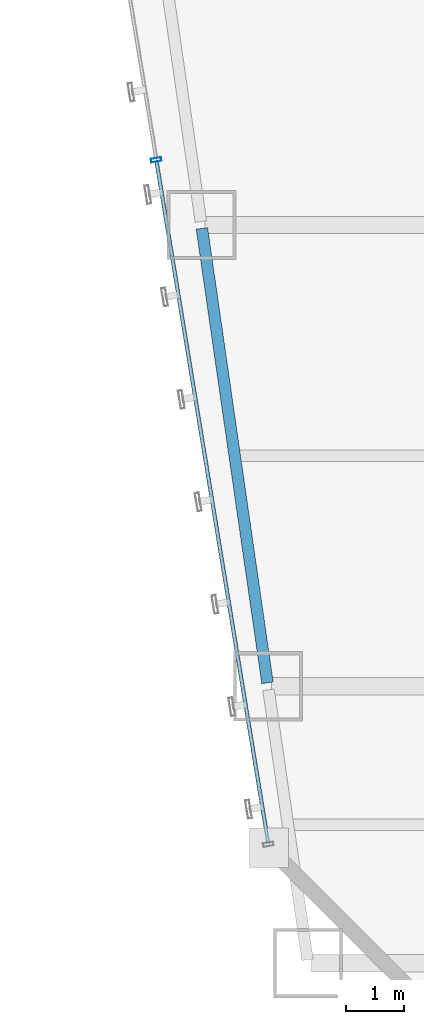
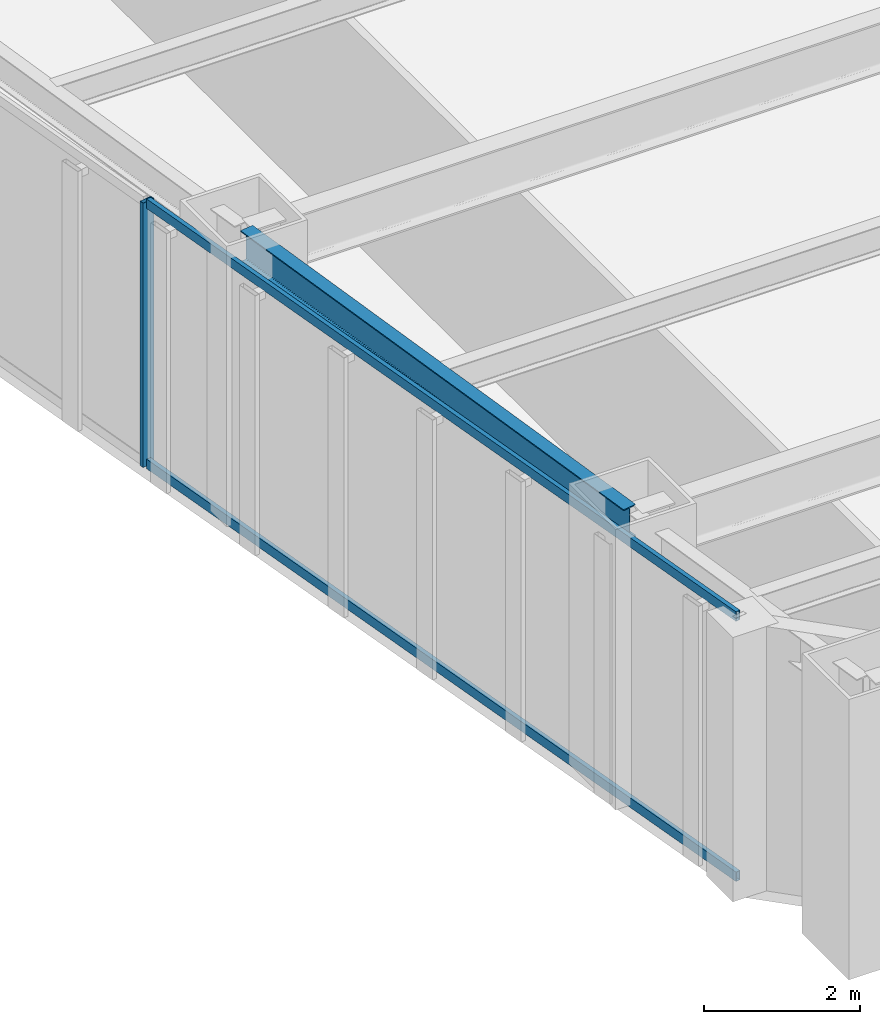
# One storey, part 5 of 47: 3 members, 1 beam, 1 element without a shape of its own.
"""IFC4 building model written with IfcOpenShell, lengths in metres."""

from ifc_helpers import new_model, si_unit, direction, frame, origin, origin_2d, place, context, subcontext, project, spatial, hollow_rectangle, i_section, extrude, material, material_profile, profile_set, type_object, element, aggregate, save


model = new_model("IFC4")

# Units and contexts
model_context = context("Model", 3, precision=1e-05, world=origin(), true_north=direction((0.0, 1.0)))
body_context = subcontext(model_context, "Body", "Model", "MODEL_VIEW")
ifc_project = project(units=[si_unit("LENGTHUNIT", "METRE"), si_unit("AREAUNIT", "SQUARE_METRE"), si_unit("VOLUMEUNIT", "CUBIC_METRE"), si_unit("PLANEANGLEUNIT", "RADIAN"), si_unit("MASSUNIT", "GRAM", prefix="KILO")], contexts=[model_context])

# Site, building, storey
site_placement = place(None, origin())
site = spatial("IfcSite", under=ifc_project, at=site_placement, CompositionType="ELEMENT")
building_placement = place(site_placement, origin())
building = spatial("IfcBuilding", under=site, at=building_placement, Name="Saevonmaru Cultural Tower", CompositionType="ELEMENT")
storey_placement = place(building_placement, frame((0.0, 0.0, 56.0)))
storey = spatial("IfcBuildingStorey", under=building, at=storey_placement, Name="L11", CompositionType="ELEMENT", Elevation=56.0)

# Beam
ifc_material_1 = material(Name="Steel SM355", Category="steel")
ifc_material_profile_1 = material_profile(ifc_material_1, i_section(OverallWidth=0.199951171875, OverallDepth=0.5, WebThickness=0.010009765625, FlangeThickness=0.01611328125, FilletRadius=0.02001953125, at=origin_2d()), Name="H-500x200x10x16")
ifc_profile_set_1 = profile_set([ifc_material_profile_1], Name="Steel SM355")
beam_type = type_object("IfcBeamType", Name="BM-SP-H500", PredefinedType="SPANDREL", material=ifc_profile_set_1)
beam_placement = place(storey_placement, frame((11.7744140625, 8.059326171875, 3.89990234375), z_axis=(-0.142871999001, 0.989741174197, 0.0), x_axis=(-0.989741174197, -0.142871999001, 0.0)))
element("IfcBeam", 1, at=beam_placement, inside=storey, type_object=beam_type, Name="L11 West Splayed Spandrel 2", PredefinedType="SPANDREL", context=body_context, shape_type="SweptSolid", body=[
    extrude(i_section(OverallWidth=0.199951171875, OverallDepth=0.5, WebThickness=0.010009765625, FlangeThickness=0.01611328125, FilletRadius=0.02001953125, at=origin_2d()), origin(), (0.0, 0.0, 1.0), 7.963134765625),
])

# Curtain wall, members
ifc_material_2 = material(Name="Satin Bronze Anodised Aluminium", Category="aluminium")
curtain_wall_type = type_object("IfcCurtainWallType", Name="CW-TYP-A", PredefinedType="NOTDEFINED", material=ifc_material_2)
curtain_wall_placement = place(storey_placement, origin())
curtain_wall = element("IfcCurtainWall", 2, at=curtain_wall_placement, inside=storey, type_object=curtain_wall_type, Name="L11 Unitised Curtain Wall E12", PredefinedType="NOTDEFINED")
ifc_material_profile_2 = material_profile(ifc_material_2, hollow_rectangle(XDim=0.06494140625, YDim=0.179931640625, WallThickness=0.00390625, at=origin_2d()), Name="ALU-MULL-180x65x4")
ifc_profile_set_2 = profile_set([ifc_material_profile_2], Name="Satin Bronze Anodised Aluminium")
member_type_1 = type_object("IfcMemberType", Name="ML-CW-180x65", PredefinedType="MULLION", material=ifc_profile_set_2)
member_1_placement = place(storey_placement, frame((9.84521484375, 17.129638671875, 0.0), z_axis=(0.0, 0.0, 1.0), x_axis=(0.161708868641, -0.986838508472, 0.0)))
member_1 = element("IfcMember", 3, at=member_1_placement, type_object=member_type_1, Name="CW-TW-L11-E12 mullion 4", PredefinedType="MULLION", context=body_context, shape_type="SweptSolid", body=[
    extrude(hollow_rectangle(XDim=0.06494140625, YDim=0.179931640625, WallThickness=0.00390625, at=origin_2d()), origin(), (0.0, 0.0, 1.0), 4.14990234375),
])
ifc_material_profile_3 = material_profile(ifc_material_2, hollow_rectangle(XDim=0.06494140625, YDim=0.14990234375, WallThickness=0.00390625, at=origin_2d()), Name="ALU-TRAN-150x65x4")
ifc_profile_set_3 = profile_set([ifc_material_profile_3], Name="Satin Bronze Anodised Aluminium")
member_type_2 = type_object("IfcMemberType", Name="TR-CW-150x65", PredefinedType="USERDEFINED", material=ifc_profile_set_3)
member_2_placement = place(storey_placement, frame((9.850341796875, 17.097412109375, 0.032470703125), z_axis=(0.161724530373, -0.986835941925, 0.0), x_axis=(0.986835941925, 0.161724530373, 0.0)))
member_2 = element("IfcMember", 4, at=member_2_placement, type_object=member_type_2, Name="CW-TW-L11-E12 transom 4.1", ObjectType="TRANSOM", PredefinedType="USERDEFINED", context=body_context, shape_type="SweptSolid", body=[
    extrude(hollow_rectangle(XDim=0.06494140625, YDim=0.14990234375, WallThickness=0.00390625, at=origin_2d()), origin(), (0.0, 0.0, 1.0), 11.963623046875),
])
member_3_placement = place(storey_placement, frame((9.850341796875, 17.097412109375, 4.117431640625), z_axis=(0.161724530373, -0.986835941925, 0.0), x_axis=(0.986835941925, 0.161724530373, 0.0)))
member_3 = element("IfcMember", 5, at=member_3_placement, type_object=member_type_2, Name="CW-TW-L11-E12 transom 4.2", ObjectType="TRANSOM", PredefinedType="USERDEFINED", context=body_context, shape_type="SweptSolid", body=[
    extrude(hollow_rectangle(XDim=0.06494140625, YDim=0.14990234375, WallThickness=0.00390625, at=origin_2d()), origin(), (0.0, 0.0, 1.0), 11.963623046875),
])
aggregate(curtain_wall, [member_1, member_2, member_3])

save(model, "model.ifc")
